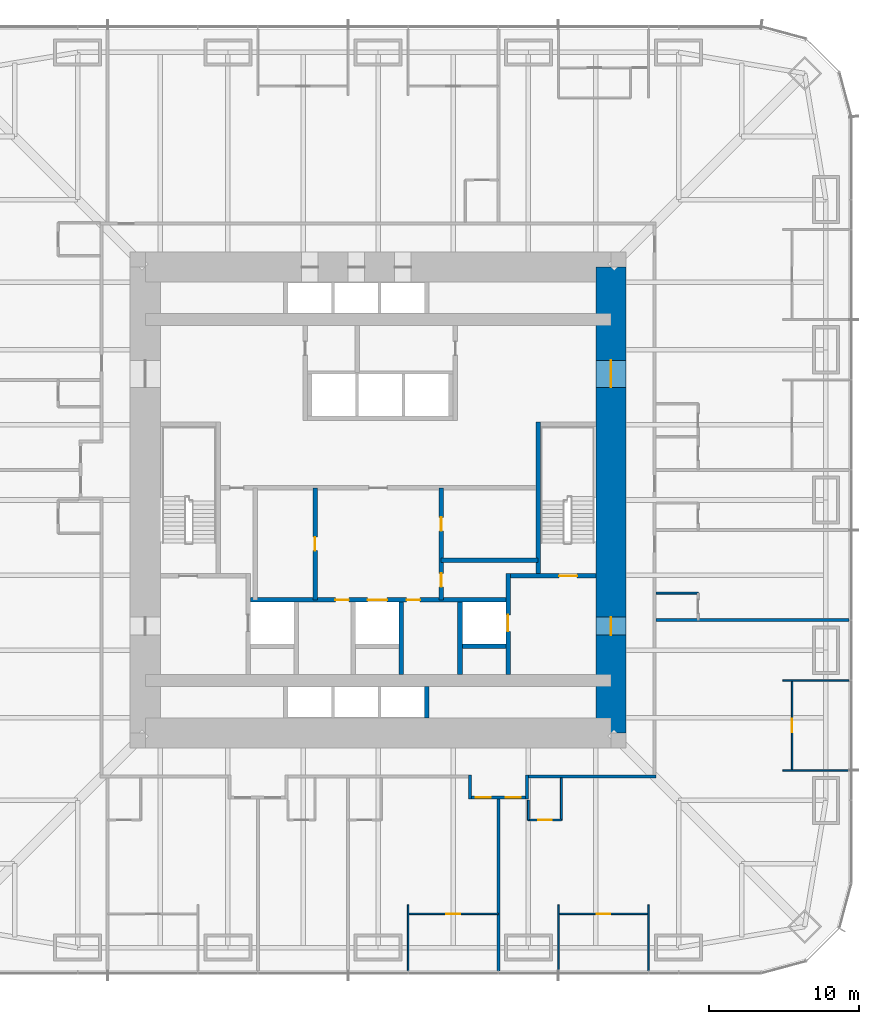
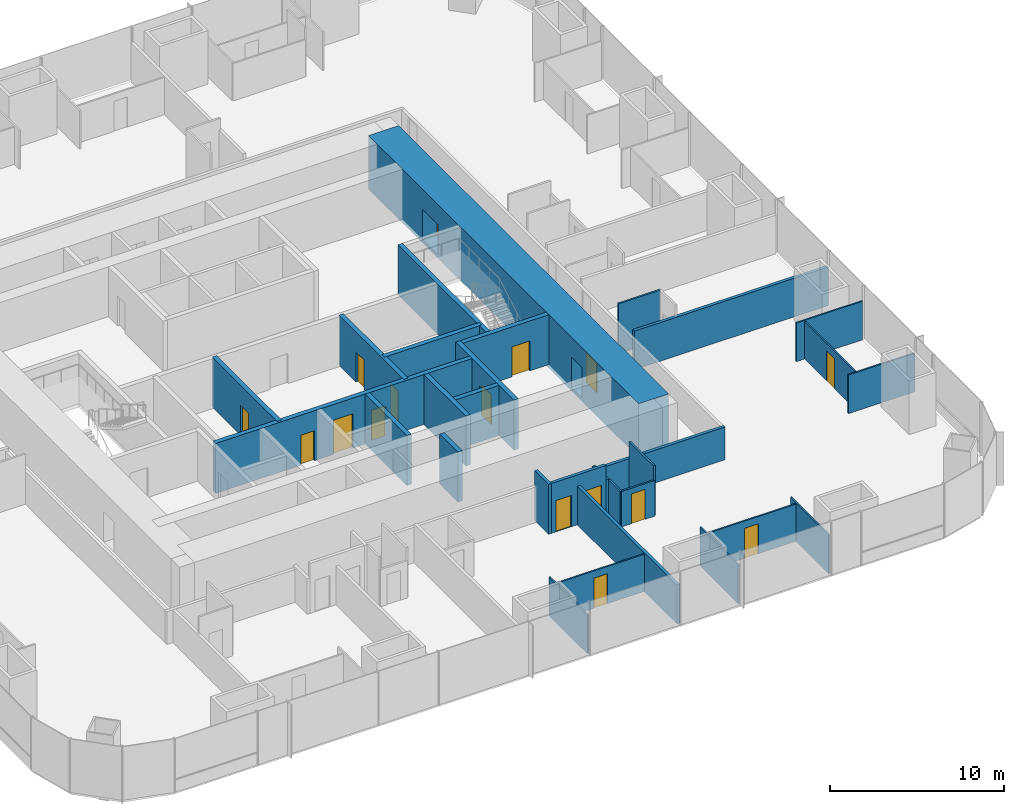
# One storey, part 13 of 16: 30 walls, 16 doors, 16 openings.
"""IFC4 building model written with IfcOpenShell, lengths in metres."""

from ifc_helpers import new_model, si_unit, direction, frame, frame_2d, origin, place, context, subcontext, project, spatial, rectangle, extrude, material, layer, layer_set, type_object, element, fill, save


model = new_model("IFC4")

# Units and contexts
model_context = context("Model", 3, precision=1e-05, world=origin(), true_north=direction((0.0, 1.0)))
body_context = subcontext(model_context, "Body", "Model", "MODEL_VIEW")
ifc_project = project(units=[si_unit("LENGTHUNIT", "METRE"), si_unit("AREAUNIT", "SQUARE_METRE"), si_unit("VOLUMEUNIT", "CUBIC_METRE"), si_unit("PLANEANGLEUNIT", "RADIAN"), si_unit("MASSUNIT", "GRAM", prefix="KILO")], contexts=[model_context])

# Site, building, storey
site_placement = place(None, origin())
site = spatial("IfcSite", under=ifc_project, at=site_placement, CompositionType="ELEMENT")
building_placement = place(site_placement, origin())
building = spatial("IfcBuilding", under=site, at=building_placement, Name="Khuree Lantern Residences", CompositionType="ELEMENT")
storey_placement = place(building_placement, frame((0.0, 0.0, 54.75)))
storey = spatial("IfcBuildingStorey", under=building, at=storey_placement, Name="L13", CompositionType="ELEMENT", Elevation=54.75)

# Wall
ifc_material_1 = material(Name="Moisture-resistant gypsum board on steel studs", Category="steel")
ifc_layer_1 = layer(ifc_material_1, 0.125)
ifc_layer_set_1 = layer_set([ifc_layer_1], Name="BATHROOM WALL BTW125")
wall_type_1 = type_object("IfcWallType", Name="BATHROOM WALL BTW125", PredefinedType="PARTITIONING", material=ifc_layer_set_1)
wall_1_placement = place(storey_placement, frame((18.5, -6.199951171875, 0.0), z_axis=(0.0, 0.0, 1.0), x_axis=(1.0, 0.0, 0.0)))
element("IfcWall", 1, at=wall_1_placement, inside=storey, type_object=wall_type_1, Name="L13 BATHROOM WALL 01", PredefinedType="PARTITIONING", context=body_context, shape_type="SweptSolid", body=[
    extrude(rectangle(XDim=2.800048828125, YDim=0.125, at=frame_2d((1.39990234375, 0.0))), origin(), (0.0, 0.0, 1.0), 3.5),
])

# Wall, opening, door
wall_2_placement = place(storey_placement, frame((10.0, -21.300048828125, 0.0), z_axis=(0.0, 0.0, 1.0), x_axis=(1.0, 0.0, 0.0)))
wall_2 = element("IfcWall", 2, at=wall_2_placement, inside=storey, type_object=wall_type_1, Name="L13 BATHROOM WALL 11", PredefinedType="PARTITIONING", context=body_context, shape_type="SweptSolid", body=[
    extrude(rectangle(XDim=2.199951171875, YDim=0.125, at=frame_2d((1.10009765625, 0.0))), origin(), (0.0, 0.0, 1.0), 2.491943359375),
])
opening_1_placement = place(wall_2_placement, frame((0.64990234375, 0.0, 0.0)))
opening_1 = element("IfcOpeningElement", 3, at=opening_1_placement, cuts=wall_2, Name="Opening 13-056", PredefinedType="OPENING", context=body_context, shape_type="SweptSolid", body=[
    extrude(rectangle(XDim=0.89990234375, YDim=2.10009765625, at=frame_2d((0.449951171875, 1.050048828125))), frame((0.0, 0.072509765625, 0.0), z_axis=(0.0, -1.0, 0.0), x_axis=(1.0, 0.0, 0.0)), (0.0, 0.0, 1.0), 0.14501953125),
])
ifc_material_2 = material(Name="Timber door leaf in hardwood frame", Category="wood")
door_type_1 = type_object("IfcDoorType", Name="BATHROOM DOOR 900X2100", OperationType="SINGLE_SWING_LEFT", PredefinedType="DOOR", material=ifc_material_2)
door_1_placement = place(opening_1_placement, origin())
door_1 = element("IfcDoor", 4, at=door_1_placement, inside=storey, type_object=door_type_1, Name="Bathroom door 13-056", OperationType="SINGLE_SWING_LEFT", OverallHeight=2.10009765625, OverallWidth=0.89990234375, PredefinedType="DOOR", context=body_context, shape_type="SweptSolid", body=[
    extrude(rectangle(XDim=0.89990234375, YDim=2.10009765625, at=frame_2d((0.449951171875, 1.050048828125))), frame((0.0, 0.02490234375, 0.0), z_axis=(0.0, -1.0, 0.0), x_axis=(1.0, 0.0, 0.0)), (0.0, 0.0, 1.0), 0.050048828125),
])
fill(opening_1, door_1)

# Walls
wall_3_placement = place(storey_placement, frame((10.0, -19.969970703125, 0.0), z_axis=(0.0, 0.0, 1.0), x_axis=(0.0, -1.0, 0.0)))
element("IfcWall", 5, at=wall_3_placement, inside=storey, type_object=wall_type_1, Name="L13 BATHROOM WALL 11", PredefinedType="PARTITIONING", context=body_context, shape_type="SweptSolid", body=[
    extrude(rectangle(XDim=1.330078125, YDim=0.125, at=frame_2d((0.6650390625, 0.0))), origin(), (0.0, 0.0, 1.0), 2.491943359375),
])
wall_4_placement = place(storey_placement, frame((12.199951171875, -18.5, 0.0), z_axis=(0.0, 0.0, 1.0), x_axis=(0.0, -1.0, 0.0)))
element("IfcWall", 6, at=wall_4_placement, inside=storey, type_object=wall_type_1, Name="L13 BATHROOM WALL 11", PredefinedType="PARTITIONING", context=body_context, shape_type="SweptSolid", body=[
    extrude(rectangle(XDim=2.800048828125, YDim=0.125, at=frame_2d((1.39990234375, 0.0))), origin(), (0.0, 0.0, 1.0), 3.5),
])

# Wall, opening, door
ifc_material_3 = material(Name="Dense concrete blockwork", Category="masonry")
ifc_layer_2 = layer(ifc_material_3, 0.300048828125)
ifc_layer_set_2 = layer_set([ifc_layer_2], Name="CORE PARTITION WALL CPW300 EI 120")
wall_type_2 = type_object("IfcWallType", Name="CORE PARTITION WALL CPW300 EI 120", PredefinedType="PARTITIONING", material=ifc_layer_set_2)
wall_5_placement = place(storey_placement, frame((8.64990234375, -11.60009765625, 0.0), z_axis=(0.0, 0.0, 1.0), x_axis=(0.0, 1.0, 0.0)))
wall_5 = element("IfcWall", 7, at=wall_5_placement, inside=storey, type_object=wall_type_2, Name="L13 CORE WALL FL2E", PredefinedType="PARTITIONING", context=body_context, shape_type="SweptSolid", body=[
    extrude(rectangle(XDim=6.7001953125, YDim=0.300048828125, at=frame_2d((3.35009765625, 0.0))), origin(), (0.0, 0.0, 1.0), 3.5),
])
opening_2_placement = place(wall_5_placement, frame((2.85009765625, 0.0, 0.0)))
opening_2 = element("IfcOpeningElement", 8, at=opening_2_placement, cuts=wall_5, Name="Opening 13-008", PredefinedType="OPENING", context=body_context, shape_type="SweptSolid", body=[
    extrude(rectangle(XDim=1.10009765625, YDim=2.10009765625, at=frame_2d((0.550048828125, 1.050048828125))), frame((0.0, 0.16015625, 0.0), z_axis=(0.0, -1.0, 0.0), x_axis=(1.0, 0.0, 0.0)), (0.0, 0.0, 1.0), 0.320068359375),
])
ifc_material_4 = material(Name="Stainless steel lift landing door", Category="steel")
door_type_2 = type_object("IfcDoorType", Name="LIFT LANDING DOOR 1100X2100 E 120", OperationType="DOUBLE_DOOR_SLIDING", PredefinedType="DOOR", material=ifc_material_4)
door_2_placement = place(opening_2_placement, origin())
door_2 = element("IfcDoor", 9, at=door_2_placement, inside=storey, type_object=door_type_2, Name="Landing door FL2 13-008", OperationType="DOUBLE_DOOR_SLIDING", OverallHeight=2.10009765625, OverallWidth=1.10009765625, PredefinedType="DOOR", context=body_context, shape_type="SweptSolid", body=[
    extrude(rectangle(XDim=1.10009765625, YDim=2.10009765625, at=frame_2d((0.550048828125, 1.050048828125))), frame((0.0, 0.02490234375, 0.0), z_axis=(0.0, -1.0, 0.0), x_axis=(1.0, 0.0, 0.0)), (0.0, 0.0, 1.0), 0.050048828125),
])
fill(opening_2, door_2)

# Wall, openings, doors
wall_6_placement = place(storey_placement, frame((-8.5, -6.64990234375, 0.0), z_axis=(0.0, 0.0, 1.0), x_axis=(1.0, 0.0, 0.0)))
wall_6 = element("IfcWall", 10, at=wall_6_placement, inside=storey, type_object=wall_type_2, Name="L13 CORE WALL FLROW", PredefinedType="PARTITIONING", context=body_context, shape_type="SweptSolid", body=[
    extrude(rectangle(XDim=17.0, YDim=0.300048828125, at=frame_2d((8.5, 0.0))), origin(), (0.0, 0.0, 1.0), 3.5),
])
opening_3_placement = place(wall_6_placement, frame((7.800048828125, 0.0, 0.0)))
opening_3 = element("IfcOpeningElement", 11, at=opening_3_placement, cuts=wall_6, Name="Opening 13-012", PredefinedType="OPENING", context=body_context, shape_type="SweptSolid", body=[
    extrude(rectangle(XDim=1.300048828125, YDim=2.39990234375, at=frame_2d((0.64990234375, 1.199951171875))), frame((0.0, 0.16015625, 0.0), z_axis=(0.0, -1.0, 0.0), x_axis=(1.0, 0.0, 0.0)), (0.0, 0.0, 1.0), 0.320068359375),
])
opening_4_placement = place(wall_6_placement, frame((5.64990234375, 0.0, 0.0)))
opening_4 = element("IfcOpeningElement", 12, at=opening_4_placement, cuts=wall_6, Name="Opening 13-014", PredefinedType="OPENING", context=body_context, shape_type="SweptSolid", body=[
    extrude(rectangle(XDim=0.89990234375, YDim=2.10009765625, at=frame_2d((0.449951171875, 1.050048828125))), frame((0.0, 0.16015625, 0.0), z_axis=(0.0, -1.0, 0.0), x_axis=(1.0, 0.0, 0.0)), (0.0, 0.0, 1.0), 0.320068359375),
])
opening_5_placement = place(wall_6_placement, frame((10.39990234375, 0.0, 0.0)))
opening_5 = element("IfcOpeningElement", 13, at=opening_5_placement, cuts=wall_6, Name="Opening 13-015", PredefinedType="OPENING", context=body_context, shape_type="SweptSolid", body=[
    extrude(rectangle(XDim=0.89990234375, YDim=2.10009765625, at=frame_2d((0.449951171875, 1.050048828125))), frame((0.0, 0.16015625, 0.0), z_axis=(0.0, -1.0, 0.0), x_axis=(1.0, 0.0, 0.0)), (0.0, 0.0, 1.0), 0.320068359375),
])
ifc_material_5 = material(Name="Steel door leaf in steel frame", Category="steel")
door_type_3 = type_object("IfcDoorType", Name="DOOR 900X2100 EI 60", OperationType="SINGLE_SWING_LEFT", PredefinedType="DOOR", material=ifc_material_5)
door_3_placement = place(opening_4_placement, origin())
door_3 = element("IfcDoor", 14, at=door_3_placement, inside=storey, type_object=door_type_3, Name="Refuse chute room door 13-014", OperationType="SINGLE_SWING_LEFT", OverallHeight=2.10009765625, OverallWidth=0.89990234375, PredefinedType="DOOR", context=body_context, shape_type="SweptSolid", body=[
    extrude(rectangle(XDim=0.89990234375, YDim=2.10009765625, at=frame_2d((0.449951171875, 1.050048828125))), frame((0.0, 0.02490234375, 0.0), z_axis=(0.0, -1.0, 0.0), x_axis=(1.0, 0.0, 0.0)), (0.0, 0.0, 1.0), 0.050048828125),
])
fill(opening_4, door_3)
door_type_4 = type_object("IfcDoorType", Name="DOOR 900X2100 EI 60 RIGHT HAND", OperationType="SINGLE_SWING_RIGHT", PredefinedType="DOOR", material=ifc_material_5)
door_4_placement = place(opening_5_placement, origin())
door_4 = element("IfcDoor", 15, at=door_4_placement, inside=storey, type_object=door_type_4, Name="Electrical and plumbing riser door 13-015", OperationType="SINGLE_SWING_RIGHT", OverallHeight=2.10009765625, OverallWidth=0.89990234375, PredefinedType="DOOR", context=body_context, shape_type="SweptSolid", body=[
    extrude(rectangle(XDim=0.89990234375, YDim=2.10009765625, at=frame_2d((0.449951171875, 1.050048828125))), frame((0.0, 0.02490234375, 0.0), z_axis=(0.0, -1.0, 0.0), x_axis=(1.0, 0.0, 0.0)), (0.0, 0.0, 1.0), 0.050048828125),
])
fill(opening_5, door_4)
door_type_5 = type_object("IfcDoorType", Name="LIFT LANDING DOOR 1300X2400 E 60", OperationType="DOUBLE_DOOR_SLIDING", PredefinedType="DOOR", material=ifc_material_4)
door_5_placement = place(opening_3_placement, origin())
door_5 = element("IfcDoor", 16, at=door_5_placement, inside=storey, type_object=door_type_5, Name="Landing door SL1 13-012", OperationType="DOUBLE_DOOR_SLIDING", OverallHeight=2.39990234375, OverallWidth=1.300048828125, PredefinedType="DOOR", context=body_context, shape_type="SweptSolid", body=[
    extrude(rectangle(XDim=1.300048828125, YDim=2.39990234375, at=frame_2d((0.64990234375, 1.199951171875))), frame((0.0, 0.02490234375, 0.0), z_axis=(0.0, -1.0, 0.0), x_axis=(1.0, 0.0, 0.0)), (0.0, 0.0, 1.0), 0.050048828125),
])
fill(opening_3, door_5)

# Walls
for number, where, z_axis, x_axis, name in (
    (17, (1.550048828125, -11.60009765625, 0.0), (0.0, 0.0, 1.0), (0.0, 1.0, 0.0), "L13 CORE WALL SL1E"),
    (18, (5.449951171875, -11.60009765625, 0.0), (0.0, 0.0, 1.0), (0.0, 1.0, 0.0), "L13 CORE WALL FL2W"),
):
    element("IfcWall", number, at=place(storey_placement, frame(where, z_axis=z_axis, x_axis=x_axis)), inside=storey, type_object=wall_type_2, Name=name, PredefinedType="PARTITIONING", context=body_context, shape_type="SweptSolid", body=[
        extrude(rectangle(XDim=4.800048828125, YDim=0.300048828125, at=frame_2d((2.39990234375, 0.0))), origin(), (0.0, 0.0, 1.0), 3.5),
    ])
wall_7_placement = place(storey_placement, frame((5.60009765625, -9.75, 0.0), z_axis=(0.0, 0.0, 1.0), x_axis=(1.0, 0.0, 0.0)))
element("IfcWall", 19, at=wall_7_placement, inside=storey, type_object=wall_type_2, Name="L13 CORE WALL FL2S", PredefinedType="PARTITIONING", context=body_context, shape_type="SweptSolid", body=[
    extrude(rectangle(XDim=2.89990234375, YDim=0.300048828125, at=frame_2d((1.449951171875, 0.0))), origin(), (0.0, 0.0, 1.0), 3.5),
])
wall_8_placement = place(storey_placement, frame((3.25, -14.5, 0.0), z_axis=(0.0, 0.0, 1.0), x_axis=(0.0, 1.0, 0.0)))
element("IfcWall", 20, at=wall_8_placement, inside=storey, type_object=wall_type_2, Name="L13 CORE WALL PME", PredefinedType="PARTITIONING", context=body_context, shape_type="SweptSolid", body=[
    extrude(rectangle(XDim=2.10009765625, YDim=0.300048828125, at=frame_2d((1.050048828125, 0.0))), origin(), (0.0, 0.0, 1.0), 3.5),
])

# Wall, opening, door
wall_9_placement = place(storey_placement, frame((-4.199951171875, -6.64990234375, 0.0), z_axis=(0.0, 0.0, 1.0), x_axis=(0.0, 1.0, 0.0)))
wall_9 = element("IfcWall", 21, at=wall_9_placement, inside=storey, type_object=wall_type_2, Name="L13 CORE WALL SVW", PredefinedType="PARTITIONING", context=body_context, shape_type="SweptSolid", body=[
    extrude(rectangle(XDim=7.449951171875, YDim=0.300048828125, at=frame_2d((3.72509765625, 0.0))), origin(), (0.0, 0.0, 1.0), 3.5),
])
opening_6_placement = place(wall_9_placement, frame((3.27490234375, 0.0, 0.0)))
opening_6 = element("IfcOpeningElement", 22, at=opening_6_placement, cuts=wall_9, Name="Opening 13-016", PredefinedType="OPENING", context=body_context, shape_type="SweptSolid", body=[
    extrude(rectangle(XDim=0.89990234375, YDim=2.10009765625, at=frame_2d((0.449951171875, 1.050048828125))), frame((0.0, 0.16015625, 0.0), z_axis=(0.0, -1.0, 0.0), x_axis=(1.0, 0.0, 0.0)), (0.0, 0.0, 1.0), 0.320068359375),
])
door_type_6 = type_object("IfcDoorType", Name="DOOR 900X2100", OperationType="SINGLE_SWING_LEFT", PredefinedType="DOOR", material=ifc_material_2)
door_6_placement = place(opening_6_placement, origin())
door_6 = element("IfcDoor", 23, at=door_6_placement, inside=storey, type_object=door_type_6, Name="Residents' store door 13-016", OperationType="SINGLE_SWING_LEFT", OverallHeight=2.10009765625, OverallWidth=0.89990234375, PredefinedType="DOOR", context=body_context, shape_type="SweptSolid", body=[
    extrude(rectangle(XDim=0.89990234375, YDim=2.10009765625, at=frame_2d((0.449951171875, 1.050048828125))), frame((0.0, 0.02490234375, 0.0), z_axis=(0.0, -1.0, 0.0), x_axis=(1.0, 0.0, 0.0)), (0.0, 0.0, 1.0), 0.050048828125),
])
fill(opening_6, door_6)

# Wall, openings, doors
wall_10_placement = place(storey_placement, frame((4.199951171875, -6.64990234375, 0.0), z_axis=(0.0, 0.0, 1.0), x_axis=(0.0, 1.0, 0.0)))
wall_10 = element("IfcWall", 24, at=wall_10_placement, inside=storey, type_object=wall_type_2, Name="L13 CORE WALL SVE", PredefinedType="PARTITIONING", context=body_context, shape_type="SweptSolid", body=[
    extrude(rectangle(XDim=7.449951171875, YDim=0.300048828125, at=frame_2d((3.72509765625, 0.0))), origin(), (0.0, 0.0, 1.0), 3.5),
])
opening_7_placement = place(wall_10_placement, frame((0.865966796875, 0.0, 0.0)))
opening_7 = element("IfcOpeningElement", 25, at=opening_7_placement, cuts=wall_10, Name="Opening 13-018", PredefinedType="OPENING", context=body_context, shape_type="SweptSolid", body=[
    extrude(rectangle(XDim=0.89990234375, YDim=2.10009765625, at=frame_2d((0.449951171875, 1.050048828125))), frame((0.0, 0.16015625, 0.0), z_axis=(0.0, -1.0, 0.0), x_axis=(1.0, 0.0, 0.0)), (0.0, 0.0, 1.0), 0.320068359375),
])
opening_8_placement = place(wall_10_placement, frame((4.591064453125, 0.0, 0.0)))
opening_8 = element("IfcOpeningElement", 26, at=opening_8_placement, cuts=wall_10, Name="Opening 13-019", PredefinedType="OPENING", context=body_context, shape_type="SweptSolid", body=[
    extrude(rectangle(XDim=0.89990234375, YDim=2.10009765625, at=frame_2d((0.449951171875, 1.050048828125))), frame((0.0, 0.16015625, 0.0), z_axis=(0.0, -1.0, 0.0), x_axis=(1.0, 0.0, 0.0)), (0.0, 0.0, 1.0), 0.320068359375),
])
door_7_placement = place(opening_7_placement, origin())
door_7 = element("IfcDoor", 27, at=door_7_placement, inside=storey, type_object=door_type_6, Name="Building management room door 13-018", OperationType="SINGLE_SWING_LEFT", OverallHeight=2.10009765625, OverallWidth=0.89990234375, PredefinedType="DOOR", context=body_context, shape_type="SweptSolid", body=[
    extrude(rectangle(XDim=0.89990234375, YDim=2.10009765625, at=frame_2d((0.449951171875, 1.050048828125))), frame((0.0, 0.02490234375, 0.0), z_axis=(0.0, -1.0, 0.0), x_axis=(1.0, 0.0, 0.0)), (0.0, 0.0, 1.0), 0.050048828125),
])
fill(opening_7, door_7)
door_type_7 = type_object("IfcDoorType", Name="DOOR 900X2100 RIGHT HAND", OperationType="SINGLE_SWING_RIGHT", PredefinedType="DOOR", material=ifc_material_2)
door_8_placement = place(opening_8_placement, origin())
door_8 = element("IfcDoor", 28, at=door_8_placement, inside=storey, type_object=door_type_7, Name="Residents' store door 13-019", OperationType="SINGLE_SWING_RIGHT", OverallHeight=2.10009765625, OverallWidth=0.89990234375, PredefinedType="DOOR", context=body_context, shape_type="SweptSolid", body=[
    extrude(rectangle(XDim=0.89990234375, YDim=2.10009765625, at=frame_2d((0.449951171875, 1.050048828125))), frame((0.0, 0.02490234375, 0.0), z_axis=(0.0, -1.0, 0.0), x_axis=(1.0, 0.0, 0.0)), (0.0, 0.0, 1.0), 0.050048828125),
])
fill(opening_8, door_8)

# Walls
wall_11_placement = place(storey_placement, frame((10.64990234375, -4.01806640625, 0.0), z_axis=(0.0, 0.0, 1.0), x_axis=(-1.0, 0.0, 0.0)))
element("IfcWall", 29, at=wall_11_placement, inside=storey, type_object=wall_type_2, Name="L13 CORE WALL EX", PredefinedType="PARTITIONING", context=body_context, shape_type="SweptSolid", body=[
    extrude(rectangle(XDim=6.449951171875, YDim=0.300048828125, at=frame_2d((3.22509765625, 0.0))), origin(), (0.0, 0.0, 1.0), 3.5),
])
ifc_material_6 = material(Name="Gypsum board on steel studs", Category="steel")
ifc_layer_3 = layer(ifc_material_6, 0.199951171875)
ifc_layer_set_3 = layer_set([ifc_layer_3], Name="CORRIDOR WALL CRW200 EI 60")
wall_type_3 = type_object("IfcWallType", Name="CORRIDOR WALL CRW200 EI 60", PredefinedType="PARTITIONING", material=ifc_layer_set_3)
wall_12_placement = place(storey_placement, frame((18.5, -18.39990234375, 0.0), z_axis=(0.0, 0.0, 1.0), x_axis=(-1.0, 0.0, 0.0)))
element("IfcWall", 30, at=wall_12_placement, inside=storey, type_object=wall_type_3, Name="L13 CORRIDOR WALL SOUTH 1", PredefinedType="PARTITIONING", context=body_context, shape_type="SweptSolid", body=[
    extrude(rectangle(XDim=8.5, YDim=0.199951171875, at=frame_2d((4.25, 0.0))), origin(), (0.0, 0.0, 1.0), 2.300048828125),
])
wall_13_placement = place(storey_placement, frame((9.89990234375, -18.300048828125, 0.0), z_axis=(0.0, 0.0, 1.0), x_axis=(0.0, -1.0, 0.0)))
element("IfcWall", 31, at=wall_13_placement, inside=storey, type_object=wall_type_3, Name="L13 CORRIDOR ALCOVE WALL SOUTH", PredefinedType="PARTITIONING", context=body_context, shape_type="SweptSolid", body=[
    extrude(rectangle(XDim=1.599853515625, YDim=0.199951171875, at=frame_2d((0.7998046875, 0.0))), origin(), (0.0, 0.0, 1.0), 2.491943359375),
])
wall_14_placement = place(storey_placement, frame((6.10009765625, -18.300048828125, 0.0), z_axis=(0.0, 0.0, 1.0), x_axis=(0.0, -1.0, 0.0)))
element("IfcWall", 32, at=wall_14_placement, inside=storey, type_object=wall_type_3, Name="L13 CORRIDOR ALCOVE WALL SOUTH", PredefinedType="PARTITIONING", context=body_context, shape_type="SweptSolid", body=[
    extrude(rectangle(XDim=1.599853515625, YDim=0.199951171875, at=frame_2d((0.7998046875, 0.0))), origin(), (0.0, 0.0, 1.0), 3.5),
])

# Wall, openings, doors
wall_15_placement = place(storey_placement, frame((9.800048828125, -19.800048828125, 0.0), z_axis=(0.0, 0.0, 1.0), x_axis=(-1.0, 0.0, 0.0)))
wall_15 = element("IfcWall", 33, at=wall_15_placement, inside=storey, type_object=wall_type_3, Name="L13 CORRIDOR ALCOVE WALL SOUTH", PredefinedType="PARTITIONING", context=body_context, shape_type="SweptSolid", body=[
    extrude(rectangle(XDim=3.60009765625, YDim=0.199951171875, at=frame_2d((1.800048828125, 0.0))), origin(), (0.0, 0.0, 1.0), 3.5),
])
opening_9_placement = place(wall_15_placement, frame((2.300048828125, 0.0, 0.0)))
opening_9 = element("IfcOpeningElement", 34, at=opening_9_placement, cuts=wall_15, Name="Opening 13-053", PredefinedType="OPENING", context=body_context, shape_type="SweptSolid", body=[
    extrude(rectangle(XDim=1.0, YDim=2.199951171875, at=frame_2d((0.5, 1.10009765625))), frame((0.0, 0.10986328125, 0.0), z_axis=(0.0, -1.0, 0.0), x_axis=(1.0, 0.0, 0.0)), (0.0, 0.0, 1.0), 0.219970703125),
])
opening_10_placement = place(wall_15_placement, frame((0.300048828125, 0.0, 0.0)))
opening_10 = element("IfcOpeningElement", 35, at=opening_10_placement, cuts=wall_15, Name="Opening 13-057", PredefinedType="OPENING", context=body_context, shape_type="SweptSolid", body=[
    extrude(rectangle(XDim=1.0, YDim=2.199951171875, at=frame_2d((0.5, 1.10009765625))), frame((0.0, 0.10986328125, 0.0), z_axis=(0.0, -1.0, 0.0), x_axis=(1.0, 0.0, 0.0)), (0.0, 0.0, 1.0), 0.219970703125),
])
door_type_8 = type_object("IfcDoorType", Name="APARTMENT ENTRANCE DOOR 1000X2200 EI 30S", OperationType="SINGLE_SWING_LEFT", PredefinedType="DOOR", material=ifc_material_2)
door_9_placement = place(opening_9_placement, origin())
door_9 = element("IfcDoor", 36, at=door_9_placement, inside=storey, type_object=door_type_8, Name="Apartment 10 entrance door 13-053", OperationType="SINGLE_SWING_LEFT", OverallHeight=2.199951171875, OverallWidth=1.0, PredefinedType="DOOR", context=body_context, shape_type="SweptSolid", body=[
    extrude(rectangle(XDim=1.0, YDim=2.199951171875, at=frame_2d((0.5, 1.10009765625))), frame((0.0, 0.02490234375, 0.0), z_axis=(0.0, -1.0, 0.0), x_axis=(1.0, 0.0, 0.0)), (0.0, 0.0, 1.0), 0.050048828125),
])
fill(opening_9, door_9)
door_10_placement = place(opening_10_placement, origin())
door_10 = element("IfcDoor", 37, at=door_10_placement, inside=storey, type_object=door_type_8, Name="Apartment 11 entrance door 13-057", OperationType="SINGLE_SWING_LEFT", OverallHeight=2.199951171875, OverallWidth=1.0, PredefinedType="DOOR", context=body_context, shape_type="SweptSolid", body=[
    extrude(rectangle(XDim=1.0, YDim=2.199951171875, at=frame_2d((0.5, 1.10009765625))), frame((0.0, 0.02490234375, 0.0), z_axis=(0.0, -1.0, 0.0), x_axis=(1.0, 0.0, 0.0)), (0.0, 0.0, 1.0), 0.050048828125),
])
fill(opening_10, door_10)

ifc_material_7 = material(Name="Concrete C70/85", Category="concrete")
ifc_layer_4 = layer(ifc_material_7, 2.0)
ifc_layer_set_4 = layer_set([ifc_layer_4], Name="CW2000-C70 CORE WALL C70 2000")
wall_type_4 = type_object("IfcWallType", Name="CW2000-C70 CORE WALL C70 2000", PredefinedType="SHEAR", material=ifc_layer_set_4)
wall_16_placement = place(storey_placement, frame((15.5, -15.5, -0.25), z_axis=(0.0, 0.0, 1.0), x_axis=(0.0, 1.0, 0.0)))
wall_16 = element("IfcWall", 38, at=wall_16_placement, inside=storey, type_object=wall_type_4, Name="Core wall E", PredefinedType="SHEAR", context=body_context, shape_type="SweptSolid", body=[
    extrude(rectangle(XDim=31.0, YDim=2.0, at=frame_2d((15.5, 0.0))), origin(), (0.0, 0.0, 1.0), 3.75),
])
opening_11_placement = place(wall_16_placement, frame((6.5, 0.0, 0.25)))
opening_11 = element("IfcOpeningElement", 39, at=opening_11_placement, cuts=wall_16, Name="Opening 13-005", PredefinedType="OPENING", context=body_context, shape_type="SweptSolid", body=[
    extrude(rectangle(XDim=1.199951171875, YDim=2.10009765625, at=frame_2d((0.60009765625, 1.050048828125))), frame((0.0, 1.010009765625, 0.0), z_axis=(0.0, -1.0, 0.0), x_axis=(1.0, 0.0, 0.0)), (0.0, 0.0, 1.0), 2.02001953125),
])
opening_12_placement = place(wall_16_placement, frame((23.0, 0.0, 0.25)))
opening_12 = element("IfcOpeningElement", 40, at=opening_12_placement, cuts=wall_16, Name="Opening 13-006", PredefinedType="OPENING", context=body_context, shape_type="SweptSolid", body=[
    extrude(rectangle(XDim=1.800048828125, YDim=2.10009765625, at=frame_2d((0.89990234375, 1.050048828125))), frame((0.0, 1.010009765625, 0.0), z_axis=(0.0, -1.0, 0.0), x_axis=(1.0, 0.0, 0.0)), (0.0, 0.0, 1.0), 2.02001953125),
])
door_type_9 = type_object("IfcDoorType", Name="LOBBY DOOR 1200X2100 EI 120", OperationType="SINGLE_SWING_LEFT", PredefinedType="DOOR", material=ifc_material_5)
door_11_placement = place(opening_11_placement, origin())
door_11 = element("IfcDoor", 41, at=door_11_placement, inside=storey, type_object=door_type_9, Name="Firefighting lobby door 13-005", OperationType="SINGLE_SWING_LEFT", OverallHeight=2.10009765625, OverallWidth=1.199951171875, PredefinedType="DOOR", context=body_context, shape_type="SweptSolid", body=[
    extrude(rectangle(XDim=1.199951171875, YDim=2.10009765625, at=frame_2d((0.60009765625, 1.050048828125))), frame((0.0, 0.02490234375, 0.0), z_axis=(0.0, -1.0, 0.0), x_axis=(1.0, 0.0, 0.0)), (0.0, 0.0, 1.0), 0.050048828125),
])
fill(opening_11, door_11)
door_type_10 = type_object("IfcDoorType", Name="LOBBY DOUBLE DOOR 1800X2100 EI 60", OperationType="DOUBLE_DOOR_SINGLE_SWING", PredefinedType="DOOR", material=ifc_material_5)
door_12_placement = place(opening_12_placement, origin())
door_12 = element("IfcDoor", 42, at=door_12_placement, inside=storey, type_object=door_type_10, Name="Lift lobby door 13-006", OperationType="DOUBLE_DOOR_SINGLE_SWING", OverallHeight=2.10009765625, OverallWidth=1.800048828125, PredefinedType="DOOR", context=body_context, shape_type="SweptSolid", body=[
    extrude(rectangle(XDim=1.800048828125, YDim=2.10009765625, at=frame_2d((0.89990234375, 1.050048828125))), frame((0.0, 0.02490234375, 0.0), z_axis=(0.0, -1.0, 0.0), x_axis=(1.0, 0.0, 0.0)), (0.0, 0.0, 1.0), 0.050048828125),
])
fill(opening_12, door_12)

# Walls
ifc_layer_5 = layer(ifc_material_6, 0.199951171875)
ifc_layer_set_5 = layer_set([ifc_layer_5], Name="DEMISING WALL DMW200 EI 90")
wall_type_5 = type_object("IfcWallType", Name="DEMISING WALL DMW200 EI 90", PredefinedType="PARTITIONING", material=ifc_layer_set_5)
wall_17_placement = place(storey_placement, frame((18.5, -8.0, 0.0), z_axis=(0.0, 0.0, 1.0), x_axis=(1.0, 0.0, 0.0)))
element("IfcWall", 43, at=wall_17_placement, inside=storey, type_object=wall_type_5, Name="L13 DEMISING WALL 01", PredefinedType="PARTITIONING", context=body_context, shape_type="SweptSolid", body=[
    extrude(rectangle(XDim=12.85009765625, YDim=0.199951171875, at=frame_2d((6.425048828125, 0.0))), origin(), (0.0, 0.0, 1.0), 2.7099609375),
])
wall_18_placement = place(storey_placement, frame((8.0, -19.89990234375, 0.0), z_axis=(0.0, 0.0, 1.0), x_axis=(0.0, -1.0, 0.0)))
element("IfcWall", 44, at=wall_18_placement, inside=storey, type_object=wall_type_5, Name="L13 DEMISING WALL 11", PredefinedType="PARTITIONING", context=body_context, shape_type="SweptSolid", body=[
    extrude(rectangle(XDim=11.4501953125, YDim=0.199951171875, at=frame_2d((5.72509765625, 0.0))), origin(), (0.0, 0.0, 1.0), 2.7099609375),
])
ifc_layer_6 = layer(ifc_material_6, 0.10009765625)
ifc_layer_set_6 = layer_set([ifc_layer_6], Name="PARTITION PT100")
wall_type_6 = type_object("IfcWallType", Name="PARTITION PT100", PredefinedType="PARTITIONING", material=ifc_layer_set_6)
for number, where, z_axis, x_axis, name in (
    (45, (2.0, -26.949951171875, 0.0), (0.0, 0.0, 1.0), (0.0, -1.0, 0.0), "L13 PARTITION 10"),
    (46, (12.0, -26.949951171875, 0.0), (0.0, 0.0, 1.0), (0.0, -1.0, 0.0), "L13 PARTITION 11"),
    (47, (18.0, -26.949951171875, 0.0), (0.0, 0.0, 1.0), (0.0, -1.0, 0.0), "L13 PARTITION 11"),
    (48, (26.949951171875, -18.0, 0.0), (0.0, 0.0, 1.0), (1.0, 0.0, 0.0), "L13 PARTITION 11"),
    (49, (26.949951171875, -12.0, 0.0), (0.0, 0.0, 1.0), (1.0, 0.0, 0.0), "L13 PARTITION 11"),
):
    element("IfcWall", number, at=place(storey_placement, frame(where, z_axis=z_axis, x_axis=x_axis)), inside=storey, type_object=wall_type_6, Name=name, PredefinedType="PARTITIONING", context=body_context, shape_type="SweptSolid", body=[
        extrude(rectangle(XDim=4.400146484375, YDim=0.10009765625, at=frame_2d((2.2001953125, 0.0))), origin(), (0.0, 0.0, 1.0), 2.7099609375),
    ])

# Wall, opening, door
wall_19_placement = place(storey_placement, frame((2.0, -27.550048828125, 0.0), z_axis=(0.0, 0.0, 1.0), x_axis=(1.0, 0.0, 0.0)))
wall_19 = element("IfcWall", 50, at=wall_19_placement, inside=storey, type_object=wall_type_6, Name="L13 PARTITION 10", PredefinedType="PARTITIONING", context=body_context, shape_type="SweptSolid", body=[
    extrude(rectangle(XDim=6.0, YDim=0.10009765625, at=frame_2d((3.0, 0.0))), origin(), (0.0, 0.0, 1.0), 2.610107421875),
])
opening_13_placement = place(wall_19_placement, frame((2.550048828125, 0.0, 0.0)))
opening_13 = element("IfcOpeningElement", 51, at=opening_13_placement, cuts=wall_19, Name="Opening 13-051", PredefinedType="OPENING", context=body_context, shape_type="SweptSolid", body=[
    extrude(rectangle(XDim=0.89990234375, YDim=2.10009765625, at=frame_2d((0.449951171875, 1.050048828125))), frame((0.0, 0.06005859375, 0.0), z_axis=(0.0, -1.0, 0.0), x_axis=(1.0, 0.0, 0.0)), (0.0, 0.0, 1.0), 0.1201171875),
])
door_type_11 = type_object("IfcDoorType", Name="BEDROOM DOOR 900X2100", OperationType="SINGLE_SWING_LEFT", PredefinedType="DOOR", material=ifc_material_2)
door_13_placement = place(opening_13_placement, origin())
door_13 = element("IfcDoor", 52, at=door_13_placement, inside=storey, type_object=door_type_11, Name="Bedroom door 13-051", OperationType="SINGLE_SWING_LEFT", OverallHeight=2.10009765625, OverallWidth=0.89990234375, PredefinedType="DOOR", context=body_context, shape_type="SweptSolid", body=[
    extrude(rectangle(XDim=0.89990234375, YDim=2.10009765625, at=frame_2d((0.449951171875, 1.050048828125))), frame((0.0, 0.02490234375, 0.0), z_axis=(0.0, -1.0, 0.0), x_axis=(1.0, 0.0, 0.0)), (0.0, 0.0, 1.0), 0.050048828125),
])
fill(opening_13, door_13)

wall_20_placement = place(storey_placement, frame((12.0, -27.550048828125, 0.0), z_axis=(0.0, 0.0, 1.0), x_axis=(1.0, 0.0, 0.0)))
wall_20 = element("IfcWall", 53, at=wall_20_placement, inside=storey, type_object=wall_type_6, Name="L13 PARTITION 11", PredefinedType="PARTITIONING", context=body_context, shape_type="SweptSolid", body=[
    extrude(rectangle(XDim=6.0, YDim=0.10009765625, at=frame_2d((3.0, 0.0))), origin(), (0.0, 0.0, 1.0), 2.610107421875),
])
opening_14_placement = place(wall_20_placement, frame((2.550048828125, 0.0, 0.0)))
opening_14 = element("IfcOpeningElement", 54, at=opening_14_placement, cuts=wall_20, Name="Opening 13-054", PredefinedType="OPENING", context=body_context, shape_type="SweptSolid", body=[
    extrude(rectangle(XDim=0.89990234375, YDim=2.10009765625, at=frame_2d((0.449951171875, 1.050048828125))), frame((0.0, 0.06005859375, 0.0), z_axis=(0.0, -1.0, 0.0), x_axis=(1.0, 0.0, 0.0)), (0.0, 0.0, 1.0), 0.1201171875),
])
door_14_placement = place(opening_14_placement, origin())
door_14 = element("IfcDoor", 55, at=door_14_placement, inside=storey, type_object=door_type_11, Name="Bedroom door 13-054", OperationType="SINGLE_SWING_LEFT", OverallHeight=2.10009765625, OverallWidth=0.89990234375, PredefinedType="DOOR", context=body_context, shape_type="SweptSolid", body=[
    extrude(rectangle(XDim=0.89990234375, YDim=2.10009765625, at=frame_2d((0.449951171875, 1.050048828125))), frame((0.0, 0.02490234375, 0.0), z_axis=(0.0, -1.0, 0.0), x_axis=(1.0, 0.0, 0.0)), (0.0, 0.0, 1.0), 0.050048828125),
])
fill(opening_14, door_14)

wall_21_placement = place(storey_placement, frame((27.550048828125, -18.0, 0.0), z_axis=(0.0, 0.0, 1.0), x_axis=(0.0, 1.0, 0.0)))
wall_21 = element("IfcWall", 56, at=wall_21_placement, inside=storey, type_object=wall_type_6, Name="L13 PARTITION 11", PredefinedType="PARTITIONING", context=body_context, shape_type="SweptSolid", body=[
    extrude(rectangle(XDim=6.0, YDim=0.10009765625, at=frame_2d((3.0, 0.0))), origin(), (0.0, 0.0, 1.0), 2.610107421875),
])
opening_15_placement = place(wall_21_placement, frame((2.550048828125, 0.0, 0.0)))
opening_15 = element("IfcOpeningElement", 57, at=opening_15_placement, cuts=wall_21, Name="Opening 13-055", PredefinedType="OPENING", context=body_context, shape_type="SweptSolid", body=[
    extrude(rectangle(XDim=0.89990234375, YDim=2.10009765625, at=frame_2d((0.449951171875, 1.050048828125))), frame((0.0, 0.06005859375, 0.0), z_axis=(0.0, -1.0, 0.0), x_axis=(1.0, 0.0, 0.0)), (0.0, 0.0, 1.0), 0.1201171875),
])
door_15_placement = place(opening_15_placement, origin())
door_15 = element("IfcDoor", 58, at=door_15_placement, inside=storey, type_object=door_type_11, Name="Bedroom door 13-055", OperationType="SINGLE_SWING_LEFT", OverallHeight=2.10009765625, OverallWidth=0.89990234375, PredefinedType="DOOR", context=body_context, shape_type="SweptSolid", body=[
    extrude(rectangle(XDim=0.89990234375, YDim=2.10009765625, at=frame_2d((0.449951171875, 1.050048828125))), frame((0.0, 0.02490234375, 0.0), z_axis=(0.0, -1.0, 0.0), x_axis=(1.0, 0.0, 0.0)), (0.0, 0.0, 1.0), 0.050048828125),
])
fill(opening_15, door_15)

# Wall
ifc_material_8 = material(Name="Concrete C50/60", Category="concrete")
ifc_layer_7 = layer(ifc_material_8, 0.300048828125)
ifc_layer_set_7 = layer_set([ifc_layer_7], Name="STAIR WALL SRW300 C50/60 REI 240")
wall_type_7 = type_object("IfcWallType", Name="STAIR WALL SRW300 C50/60 REI 240", PredefinedType="SOLIDWALL", material=ifc_layer_set_7)
wall_22_placement = place(storey_placement, frame((10.64990234375, -4.89990234375, 0.0), z_axis=(0.0, 0.0, 1.0), x_axis=(0.0, 1.0, 0.0)))
element("IfcWall", 59, at=wall_22_placement, inside=storey, type_object=wall_type_7, Name="L13 STAIR WALL ST2E", PredefinedType="SOLIDWALL", context=body_context, shape_type="SweptSolid", body=[
    extrude(rectangle(XDim=10.099853515625, YDim=0.300048828125, at=frame_2d((5.0498046875, 0.0))), origin(), (0.0, 0.0, 1.0), 3.5),
])

# Wall, opening, door
wall_23_placement = place(storey_placement, frame((14.5, -5.050048828125, 0.0), z_axis=(0.0, 0.0, 1.0), x_axis=(-1.0, 0.0, 0.0)))
wall_23 = element("IfcWall", 60, at=wall_23_placement, inside=storey, type_object=wall_type_7, Name="L13 STAIR WALL ST2S", PredefinedType="SOLIDWALL", context=body_context, shape_type="SweptSolid", body=[
    extrude(rectangle(XDim=5.699951171875, YDim=0.300048828125, at=frame_2d((2.85009765625, 0.0))), origin(), (0.0, 0.0, 1.0), 3.5),
])
opening_16_placement = place(wall_23_placement, frame((1.25, 0.0, 0.0)))
opening_16 = element("IfcOpeningElement", 61, at=opening_16_placement, cuts=wall_23, Name="Opening 13-004", PredefinedType="OPENING", context=body_context, shape_type="SweptSolid", body=[
    extrude(rectangle(XDim=1.199951171875, YDim=2.10009765625, at=frame_2d((0.60009765625, 1.050048828125))), frame((0.0, 0.16015625, 0.0), z_axis=(0.0, -1.0, 0.0), x_axis=(1.0, 0.0, 0.0)), (0.0, 0.0, 1.0), 0.320068359375),
])
door_type_12 = type_object("IfcDoorType", Name="STAIR DOOR 1200X2100 EI 120", OperationType="SINGLE_SWING_LEFT", PredefinedType="DOOR", material=ifc_material_5)
door_16_placement = place(opening_16_placement, origin())
door_16 = element("IfcDoor", 62, at=door_16_placement, inside=storey, type_object=door_type_12, Name="Stair ST2 door 13-004", OperationType="SINGLE_SWING_LEFT", OverallHeight=2.10009765625, OverallWidth=1.199951171875, PredefinedType="DOOR", context=body_context, shape_type="SweptSolid", body=[
    extrude(rectangle(XDim=1.199951171875, YDim=2.10009765625, at=frame_2d((0.60009765625, 1.050048828125))), frame((0.0, 0.02490234375, 0.0), z_axis=(0.0, -1.0, 0.0), x_axis=(1.0, 0.0, 0.0)), (0.0, 0.0, 1.0), 0.050048828125),
])
fill(opening_16, door_16)

save(model, "model.ifc")
